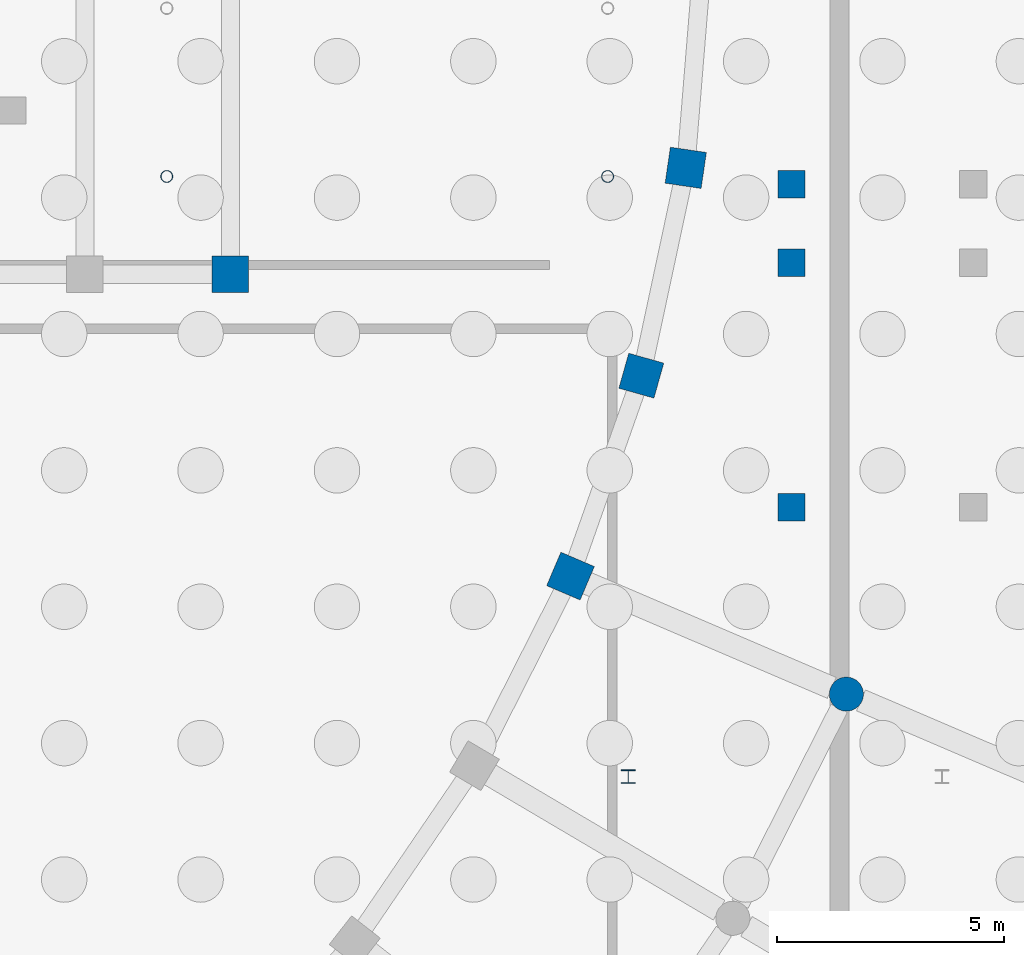
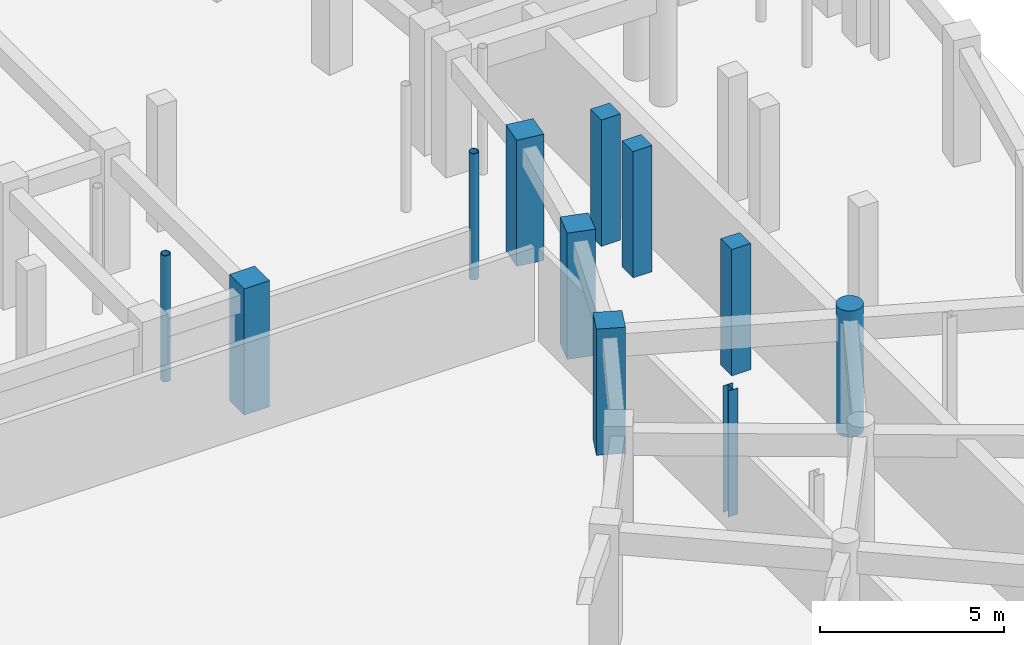
# One storey, part 14 of 33: 11 columns.
"""IFC4 building model written with IfcOpenShell, lengths in metres."""

from ifc_helpers import new_model, si_unit, direction, frame, origin, origin_2d, place, context, subcontext, project, spatial, rectangle, circle, hollow_circle, i_section, extrude, material, material_profile, profile_set, type_object, element, save


model = new_model("IFC4")

# Units and contexts
model_context = context("Model", 3, precision=1e-05, world=origin(), true_north=direction((0.0, 1.0)))
body_context = subcontext(model_context, "Body", "Model", "MODEL_VIEW")
ifc_project = project(units=[si_unit("LENGTHUNIT", "METRE"), si_unit("AREAUNIT", "SQUARE_METRE"), si_unit("VOLUMEUNIT", "CUBIC_METRE"), si_unit("PLANEANGLEUNIT", "RADIAN"), si_unit("MASSUNIT", "GRAM", prefix="KILO")], contexts=[model_context])

# Site, building, storey
site_placement = place(None, origin())
site = spatial("IfcSite", under=ifc_project, at=site_placement, CompositionType="ELEMENT")
building_placement = place(site_placement, origin())
building = spatial("IfcBuilding", under=site, at=building_placement, Name="Saryqyr Civic Hall", CompositionType="ELEMENT")
storey_placement = place(building_placement, frame((0.0, 0.0, -4.199951171875)))
storey = spatial("IfcBuildingStorey", under=building, at=storey_placement, Name="B1", CompositionType="ELEMENT", Elevation=-4.199951171875)

# Columns
ifc_material_1 = material(Name="Steel S355", Category="steel")
ifc_material_profile_1 = material_profile(ifc_material_1, hollow_circle(Radius=0.136474609375, WallThickness=0.01611328125, at=origin_2d()), Name="CHS 273x16")
ifc_profile_set_1 = profile_set([ifc_material_profile_1], Name="Steel S355")
column_type_1 = type_object("IfcColumnType", Name="STR-COL-CHS273-S355", PredefinedType="COLUMN", material=ifc_profile_set_1)
for number, where, z_axis, x_axis, name in (
    (1, (81.39990234375, 78.550048828125, 0.0), (0.0, 0.0, 1.0), (1.0, 0.0, 0.0), "Column BRCOL-BR-CE-1-B1"),
    (2, (91.09765625, 78.550048828125, 0.0), (0.0, 0.0, 1.0), (1.0, 0.0, 0.0), "Column BRCOL-BR-CE-2-B1"),
):
    element("IfcColumn", number, at=place(storey_placement, frame(where, z_axis=z_axis, x_axis=x_axis)), inside=storey, type_object=column_type_1, Name=name, PredefinedType="COLUMN", context=body_context, shape_type="SweptSolid", body=[
        extrude(hollow_circle(Radius=0.136474609375, WallThickness=0.01611328125, at=origin_2d()), origin(), (0.0, 0.0, 1.0), 4.199951171875),
    ])
ifc_material_profile_2 = material_profile(ifc_material_1, i_section(OverallWidth=0.300048828125, OverallDepth=0.2900390625, WebThickness=0.008544921875, FlangeThickness=0.013916015625, at=origin_2d()), Name="HEA 300")
ifc_profile_set_2 = profile_set([ifc_material_profile_2], Name="Steel S355")
column_type_2 = type_object("IfcColumnType", Name="STR-COL-HEA300-S355", PredefinedType="COLUMN", material=ifc_profile_set_2)
column_1_placement = place(storey_placement, frame((91.550048828125, 65.35009765625, 0.0), z_axis=(0.0, 0.0, 1.0), x_axis=(1.0, 0.0, 0.0)))
element("IfcColumn", 3, at=column_1_placement, inside=storey, type_object=column_type_2, Name="Column RGV5-COL-4-B1", PredefinedType="COLUMN", context=body_context, shape_type="SweptSolid", body=[
    extrude(i_section(OverallWidth=0.300048828125, OverallDepth=0.2900390625, WebThickness=0.008544921875, FlangeThickness=0.013916015625, at=origin_2d()), origin(), (0.0, 0.0, 1.0), 4.199951171875),
])
ifc_material_2 = material(Name="Concrete C40/50", Category="concrete")
ifc_material_profile_3 = material_profile(ifc_material_2, rectangle(XDim=0.60009765625, YDim=0.60009765625, at=origin_2d()), Name="RC 600x600")
ifc_profile_set_3 = profile_set([ifc_material_profile_3], Name="Concrete C40/50")
column_type_3 = type_object("IfcColumnType", Name="STR-COL-RC600-C40", PredefinedType="COLUMN", material=ifc_profile_set_3)
for number, where, z_axis, x_axis, name in (
    (4, (95.139892578125, 71.27490234375, 0.0), (0.0, 0.0, 1.0), (1.0, 0.0, 0.0), "Column ST-5-SCOL-TRMB-B1"),
    (5, (95.139892578125, 76.64990234375, 0.0), (0.0, 0.0, 1.0), (1.0, 0.0, 0.0), "Column ST-5-SCOL-LND1B-B1"),
    (6, (95.139892578125, 78.3798828125, 0.0), (0.0, 0.0, 1.0), (1.0, 0.0, 0.0), "Column ST-5-SCOL-LND2B-B1"),
):
    element("IfcColumn", number, at=place(storey_placement, frame(where, z_axis=z_axis, x_axis=x_axis)), inside=storey, type_object=column_type_3, Name=name, PredefinedType="COLUMN", context=body_context, shape_type="SweptSolid", body=[
        extrude(rectangle(XDim=0.60009765625, YDim=0.60009765625, at=origin_2d()), origin(), (0.0, 0.0, 1.0), 4.199951171875),
    ])
ifc_material_profile_4 = material_profile(ifc_material_2, rectangle(XDim=0.800048828125, YDim=0.800048828125, at=origin_2d()), Name="RC 800x800")
ifc_profile_set_4 = profile_set([ifc_material_profile_4], Name="Concrete C40/50")
column_type_4 = type_object("IfcColumnType", Name="STR-COL-RC800-C40", PredefinedType="COLUMN", material=ifc_profile_set_4)
for number, where, z_axis, x_axis, name in (
    (7, (82.800048828125, 76.39990234375, 0.0), (0.0, 0.0, 1.0), (1.0, 0.0, 0.0), "Column V1-COL-S0P04-B1"),
    (8, (90.281494140625, 69.759521484375, 0.0), (0.0, 0.0, 1.0), (0.919410138581, -0.393300136124, 0.0), "Column V5-COL-IN07-B1"),
    (9, (91.839111328125, 74.167724609375, 0.0), (0.0, 0.0, 1.0), (0.962407846499, -0.271608425858, 0.0), "Column V5-COL-IN08-B1"),
    (10, (92.81591796875, 78.739990234375, 0.0), (0.0, 0.0, 1.0), (0.989374077068, -0.145392350643, 0.0), "Column V5-COL-IN09-B1"),
):
    element("IfcColumn", number, at=place(storey_placement, frame(where, z_axis=z_axis, x_axis=x_axis)), inside=storey, type_object=column_type_4, Name=name, PredefinedType="COLUMN", context=body_context, shape_type="SweptSolid", body=[
        extrude(rectangle(XDim=0.800048828125, YDim=0.800048828125, at=origin_2d()), origin(), (0.0, 0.0, 1.0), 4.199951171875),
    ])
ifc_material_profile_5 = material_profile(ifc_material_2, circle(Radius=0.375, at=origin_2d()), Name="RC D750")
ifc_profile_set_5 = profile_set([ifc_material_profile_5], Name="Concrete C40/50")
column_type_5 = type_object("IfcColumnType", Name="STR-COL-RCD750-INT", PredefinedType="COLUMN", material=ifc_profile_set_5)
column_2_placement = place(storey_placement, frame((96.349365234375, 67.163330078125, 0.0), z_axis=(0.0, 0.0, 1.0), x_axis=(0.919410138581, -0.393300136124, 0.0)))
element("IfcColumn", 11, at=column_2_placement, inside=storey, type_object=column_type_5, Name="Column V5-COL-MID07-B1", PredefinedType="COLUMN", context=body_context, shape_type="SweptSolid", body=[
    extrude(circle(Radius=0.375, at=origin_2d()), origin(), (0.0, 0.0, 1.0), 4.199951171875),
])

save(model, "model.ifc")
